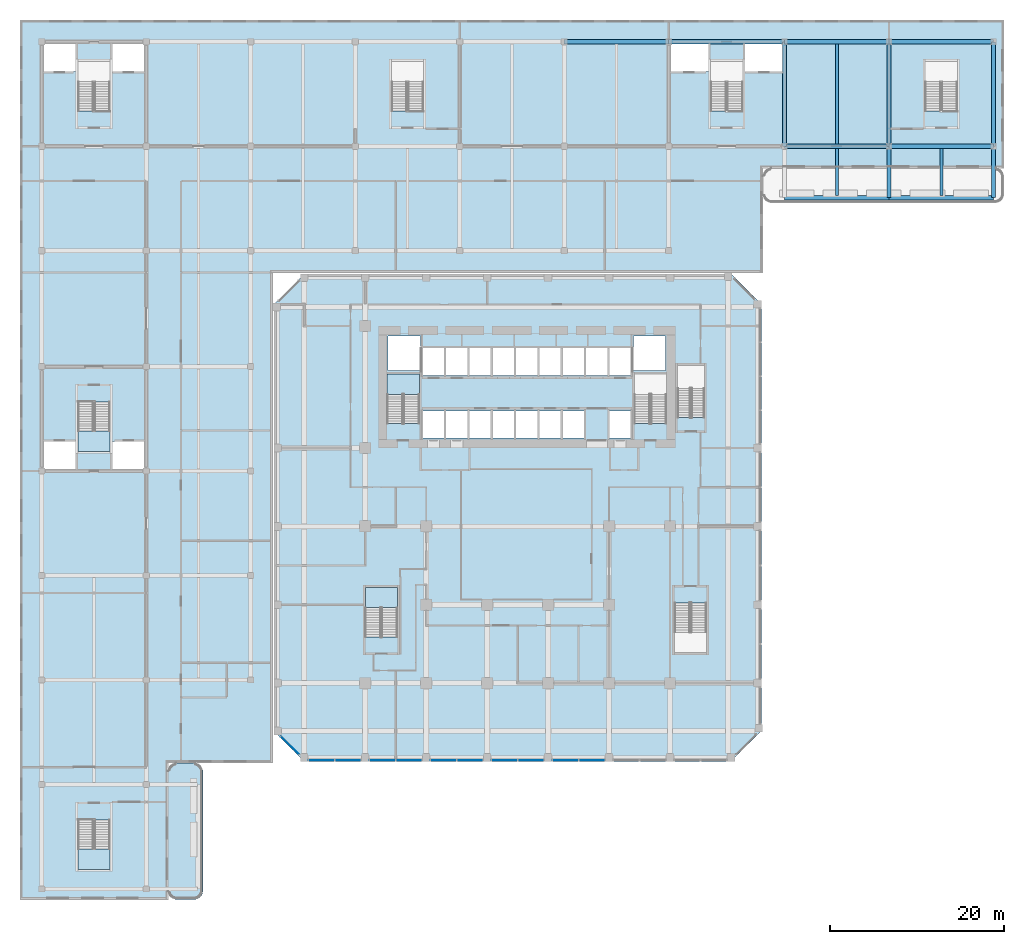
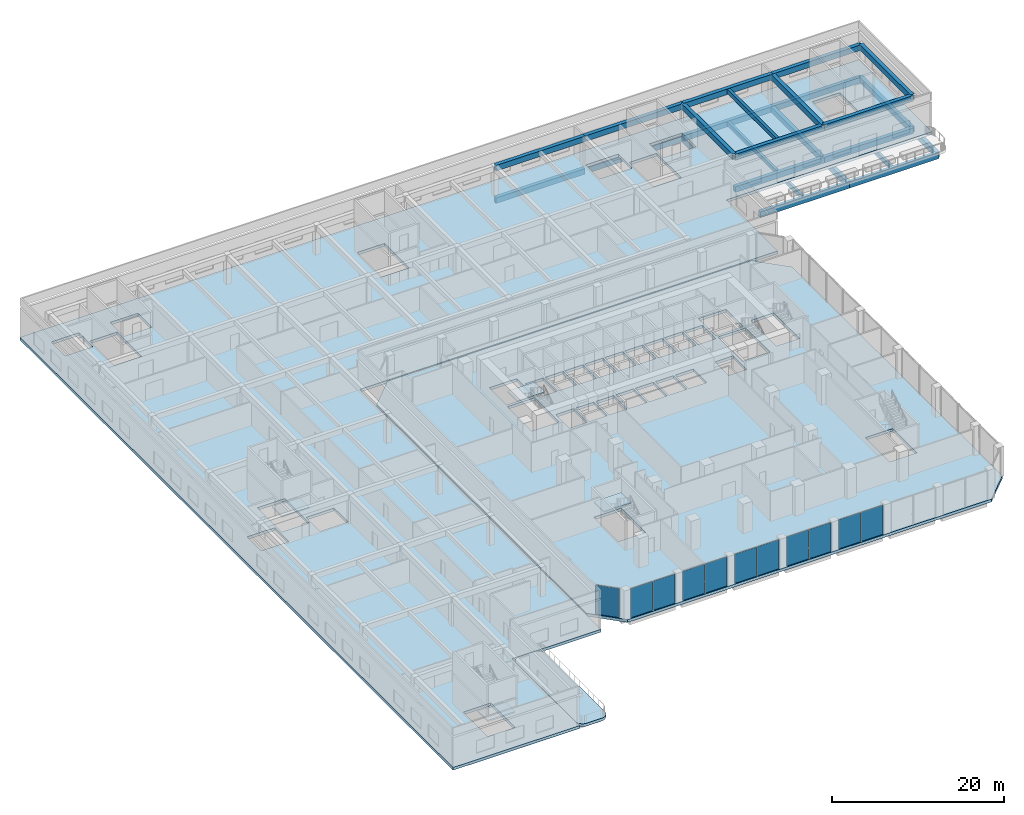
# One storey, part 11 of 35: 26 beams, 11 plates, 7 slabs, 15 elements without a shape of their own.
"""IFC4 building model written with IfcOpenShell, lengths in metres."""

from ifc_helpers import new_model, si_unit, direction, frame, origin, origin_2d, place, context, subcontext, project, spatial, polyline, rectangle, outline, extrude, source, transform, mapped, material, layer, layer_set, material_profile, profile_set, type_object, element, aggregate, save


model = new_model("IFC4")

# Units and contexts
model_context = context("Model", 3, precision=1e-05, world=origin(), true_north=direction((0.0, 1.0)))
body_context = subcontext(model_context, "Body", "Model", "MODEL_VIEW")
ifc_project = project(units=[si_unit("LENGTHUNIT", "METRE"), si_unit("AREAUNIT", "SQUARE_METRE"), si_unit("VOLUMEUNIT", "CUBIC_METRE"), si_unit("PLANEANGLEUNIT", "RADIAN"), si_unit("MASSUNIT", "GRAM", prefix="KILO")], contexts=[model_context])

# Site, building, storey
site_placement = place(None, origin())
site = spatial("IfcSite", under=ifc_project, at=site_placement, CompositionType="ELEMENT")
building_placement = place(site_placement, origin())
building = spatial("IfcBuilding", under=site, at=building_placement, Name="Kilnfold Tower and Market Hall", CompositionType="ELEMENT")
storey_placement = place(building_placement, frame((0.0, 0.0, 22.5)))
storey = spatial("IfcBuildingStorey", under=building, at=storey_placement, Name="L04", CompositionType="ELEMENT", Elevation=22.5)

# Beams
ifc_material_1 = material(Name="Concrete C40/50", Category="concrete")
ifc_material_profile_1 = material_profile(ifc_material_1, rectangle(XDim=0.5, YDim=0.800048828125, at=origin_2d()), Name="RC 500x800")
ifc_profile_set_1 = profile_set([ifc_material_profile_1], Name="Concrete C40/50")
beam_type_1 = type_object("IfcBeamType", Name="HALL GIRDER 500X800", PredefinedType="BEAM", material=ifc_profile_set_1)
beam_1_placement = place(storey_placement, frame((5.35009765625, 54.64990234375, -0.800048828125), z_axis=(1.0, 0.0, 0.0), x_axis=(0.0, 1.0, 0.0)))
element("IfcBeam", 1, at=beam_1_placement, inside=storey, type_object=beam_type_1, Name="Beam MG2.59", PredefinedType="BEAM", context=body_context, shape_type="SweptSolid", body=[
    extrude(rectangle(XDim=0.5, YDim=0.800048828125, at=origin_2d()), origin(), (0.0, 0.0, 1.0), 12.0),
])
beam_2_placement = place(storey_placement, frame((17.35009765625, 54.64990234375, -0.800048828125), z_axis=(1.0, 0.0, 0.0), x_axis=(0.0, 1.0, 0.0)))
element("IfcBeam", 2, at=beam_2_placement, inside=storey, type_object=beam_type_1, Name="Beam MG2.63", PredefinedType="BEAM", context=body_context, shape_type="SweptSolid", body=[
    extrude(rectangle(XDim=0.5, YDim=0.800048828125, at=origin_2d()), origin(), (0.0, 0.0, 1.0), 13.2998046875),
])
for number, where, z_axis, x_axis, name in (
    (3, (30.64990234375, 36.75, -0.800048828125), (1.0, 0.0, 0.0), (0.0, 1.0, 0.0), "Beam MG2.65"),
    (4, (30.64990234375, 42.64990234375, -0.800048828125), (0.0, 1.0, 0.0), (-1.0, 0.0, 0.0), "Beam MG2.66"),
    (5, (30.64990234375, 42.64990234375, -0.800048828125), (1.0, 0.0, 0.0), (0.0, 1.0, 0.0), "Beam MG2.67"),
    (6, (30.64990234375, 54.64990234375, -0.800048828125), (1.0, 0.0, 0.0), (0.0, 1.0, 0.0), "Beam MG2.68"),
):
    element("IfcBeam", number, at=place(storey_placement, frame(where, z_axis=z_axis, x_axis=x_axis)), inside=storey, type_object=beam_type_1, Name=name, PredefinedType="BEAM", context=body_context, shape_type="SweptSolid", body=[
        extrude(rectangle(XDim=0.5, YDim=0.800048828125, at=origin_2d()), origin(), (0.0, 0.0, 1.0), 12.0),
    ])
beam_3_placement = place(storey_placement, frame((42.64990234375, 36.75, -0.800048828125), z_axis=(0.0, 1.0, 0.0), x_axis=(-1.0, 0.0, 0.0)))
element("IfcBeam", 7, at=beam_3_placement, inside=storey, type_object=beam_type_1, Name="Beam MG2.69", PredefinedType="BEAM", context=body_context, shape_type="SweptSolid", body=[
    extrude(rectangle(XDim=0.5, YDim=0.800048828125, at=origin_2d()), origin(), (0.0, 0.0, 1.0), 5.89990234375),
])
for number, where, z_axis, x_axis, name in (
    (8, (42.64990234375, 36.75, -0.800048828125), (1.0, 0.0, 0.0), (0.0, 1.0, 0.0), "Beam MG2.70"),
    (9, (42.64990234375, 42.64990234375, -0.800048828125), (0.0, 1.0, 0.0), (-1.0, 0.0, 0.0), "Beam MG2.71"),
    (10, (42.64990234375, 42.64990234375, -0.800048828125), (1.0, 0.0, 0.0), (0.0, 1.0, 0.0), "Beam MG2.72"),
    (11, (42.64990234375, 54.64990234375, -0.800048828125), (1.0, 0.0, 0.0), (0.0, 1.0, 0.0), "Beam MG2.73"),
):
    element("IfcBeam", number, at=place(storey_placement, frame(where, z_axis=z_axis, x_axis=x_axis)), inside=storey, type_object=beam_type_1, Name=name, PredefinedType="BEAM", context=body_context, shape_type="SweptSolid", body=[
        extrude(rectangle(XDim=0.5, YDim=0.800048828125, at=origin_2d()), origin(), (0.0, 0.0, 1.0), 12.0),
    ])
beam_4_placement = place(storey_placement, frame((54.64990234375, 36.75, -0.800048828125), z_axis=(0.0, 1.0, 0.0), x_axis=(-1.0, 0.0, 0.0)))
element("IfcBeam", 12, at=beam_4_placement, inside=storey, type_object=beam_type_1, Name="Beam MG2.74", PredefinedType="BEAM", context=body_context, shape_type="SweptSolid", body=[
    extrude(rectangle(XDim=0.5, YDim=0.800048828125, at=origin_2d()), origin(), (0.0, 0.0, 1.0), 5.89990234375),
])
for number, where, z_axis, x_axis, name in (
    (13, (54.64990234375, 42.64990234375, -0.800048828125), (0.0, 1.0, 0.0), (-1.0, 0.0, 0.0), "Beam MG2.75"),
    (14, (5.35009765625, 54.64990234375, 3.820068359375), (1.0, 0.0, 0.0), (0.0, 1.0, 0.0), "Roof beam MG2.R56"),
):
    element("IfcBeam", number, at=place(storey_placement, frame(where, z_axis=z_axis, x_axis=x_axis)), inside=storey, type_object=beam_type_1, Name=name, PredefinedType="BEAM", context=body_context, shape_type="SweptSolid", body=[
        extrude(rectangle(XDim=0.5, YDim=0.800048828125, at=origin_2d()), origin(), (0.0, 0.0, 1.0), 12.0),
    ])
beam_5_placement = place(storey_placement, frame((17.35009765625, 54.64990234375, 3.820068359375), z_axis=(1.0, 0.0, 0.0), x_axis=(0.0, 1.0, 0.0)))
element("IfcBeam", 15, at=beam_5_placement, inside=storey, type_object=beam_type_1, Name="Roof beam MG2.R60", PredefinedType="BEAM", context=body_context, shape_type="SweptSolid", body=[
    extrude(rectangle(XDim=0.5, YDim=0.800048828125, at=origin_2d()), origin(), (0.0, 0.0, 1.0), 13.2998046875),
])
for number, where, z_axis, x_axis, name in (
    (16, (30.64990234375, 42.64990234375, 3.820068359375), (0.0, 1.0, 0.0), (-1.0, 0.0, 0.0), "Roof beam MG2.R61"),
    (17, (30.64990234375, 42.64990234375, 3.820068359375), (1.0, 0.0, 0.0), (0.0, 1.0, 0.0), "Roof beam MG2.R62"),
    (18, (30.64990234375, 54.64990234375, 3.820068359375), (1.0, 0.0, 0.0), (0.0, 1.0, 0.0), "Roof beam MG2.R63"),
    (19, (42.64990234375, 42.64990234375, 3.820068359375), (0.0, 1.0, 0.0), (-1.0, 0.0, 0.0), "Roof beam MG2.R64"),
    (20, (42.64990234375, 42.64990234375, 3.820068359375), (1.0, 0.0, 0.0), (0.0, 1.0, 0.0), "Roof beam MG2.R65"),
    (21, (42.64990234375, 54.64990234375, 3.820068359375), (1.0, 0.0, 0.0), (0.0, 1.0, 0.0), "Roof beam MG2.R66"),
    (22, (54.64990234375, 42.64990234375, 3.820068359375), (0.0, 1.0, 0.0), (-1.0, 0.0, 0.0), "Roof beam MG2.R67"),
):
    element("IfcBeam", number, at=place(storey_placement, frame(where, z_axis=z_axis, x_axis=x_axis)), inside=storey, type_object=beam_type_1, Name=name, PredefinedType="BEAM", context=body_context, shape_type="SweptSolid", body=[
        extrude(rectangle(XDim=0.5, YDim=0.800048828125, at=origin_2d()), origin(), (0.0, 0.0, 1.0), 12.0),
    ])
ifc_material_2 = material(Name="Concrete C40/50", Category="concrete")
ifc_material_profile_2 = material_profile(ifc_material_2, rectangle(XDim=0.35009765625, YDim=0.60009765625, at=origin_2d()), Name="RC 350x600")
ifc_profile_set_2 = profile_set([ifc_material_profile_2], Name="Concrete C40/50")
beam_type_2 = type_object("IfcBeamType", Name="HALL JOIST 350X600", PredefinedType="BEAM", material=ifc_profile_set_2)
beam_6_placement = place(storey_placement, frame((36.64990234375, 37.0, -0.699951171875), z_axis=(0.0, 1.0, 0.0), x_axis=(-1.0, 0.0, 0.0)))
element("IfcBeam", 23, at=beam_6_placement, inside=storey, type_object=beam_type_2, Name="Beam MJ1.11", PredefinedType="BEAM", context=body_context, shape_type="SweptSolid", body=[
    extrude(rectangle(XDim=0.35009765625, YDim=0.60009765625, at=origin_2d()), origin(), (0.0, 0.0, 1.0), 5.39990234375),
])
beam_7_placement = place(storey_placement, frame((36.64990234375, 42.89990234375, -0.699951171875), z_axis=(0.0, 1.0, 0.0), x_axis=(-1.0, 0.0, 0.0)))
element("IfcBeam", 24, at=beam_7_placement, inside=storey, type_object=beam_type_2, Name="Beam MJ1.12", PredefinedType="BEAM", context=body_context, shape_type="SweptSolid", body=[
    extrude(rectangle(XDim=0.35009765625, YDim=0.60009765625, at=origin_2d()), origin(), (0.0, 0.0, 1.0), 11.5),
])
beam_8_placement = place(storey_placement, frame((48.64990234375, 37.0, -0.699951171875), z_axis=(0.0, 1.0, 0.0), x_axis=(-1.0, 0.0, 0.0)))
element("IfcBeam", 25, at=beam_8_placement, inside=storey, type_object=beam_type_2, Name="Beam MJ1.13", PredefinedType="BEAM", context=body_context, shape_type="SweptSolid", body=[
    extrude(rectangle(XDim=0.35009765625, YDim=0.60009765625, at=origin_2d()), origin(), (0.0, 0.0, 1.0), 5.39990234375),
])
beam_9_placement = place(storey_placement, frame((36.64990234375, 42.89990234375, 3.919921875), z_axis=(0.0, 1.0, 0.0), x_axis=(-1.0, 0.0, 0.0)))
element("IfcBeam", 26, at=beam_9_placement, inside=storey, type_object=beam_type_2, Name="Roof beam MJ1.R16", PredefinedType="BEAM", context=body_context, shape_type="SweptSolid", body=[
    extrude(rectangle(XDim=0.35009765625, YDim=0.60009765625, at=origin_2d()), origin(), (0.0, 0.0, 1.0), 11.5),
])

# Slabs
ifc_material_3 = material(Name="Concrete C45", Category="concrete")
ifc_layer_1 = layer(ifc_material_3, 0.39990234375)
ifc_layer_set_1 = layer_set([ifc_layer_1], Name="Concrete C45")
slab_type_1 = type_object("IfcSlabType", Name="FLOOR SLAB 400", PredefinedType="FLOOR", material=ifc_layer_set_1)
shared_shape_1 = source(origin(), body_context, "Body", "SweptSolid", [
    extrude(outline(polyline([(-24.5, -28.0), (24.5, -28.0), (28.0, -24.5), (28.0, 24.5), (24.5, 28.0), (-24.5, 28.0), (-28.0, 24.5), (-28.0, -24.5), (-24.5, -28.0)]), holes=[polyline([(-17.49951171875, -13.699462890625), (-17.49951171875, -8.00048828125), (-13.800537109375, -8.00048828125), (-13.800537109375, -13.699462890625), (-17.49951171875, -13.699462890625)]), polyline([(-14.99951171875, 10.800537109375), (-14.99951171875, 16.49951171875), (-11.300537109375, 16.49951171875), (-11.300537109375, 10.800537109375), (-14.99951171875, 10.800537109375)]), polyline([(-14.875, 16.875), (-14.875, 20.875), (-11.175048828125, 20.875), (-11.175048828125, 16.875), (-14.875, 16.875)]), polyline([(-10.885009765625, 9.125), (-10.885009765625, 12.27490234375), (-8.455078125, 12.27490234375), (-8.455078125, 9.125), (-10.885009765625, 9.125)]), polyline([(-10.885009765625, 16.324951171875), (-10.885009765625, 19.47509765625), (-8.455078125, 19.47509765625), (-8.455078125, 16.324951171875), (-10.885009765625, 16.324951171875)]), polyline([(-8.205078125, 9.125), (-8.205078125, 12.27490234375), (-5.77490234375, 12.27490234375), (-5.77490234375, 9.125), (-8.205078125, 9.125)]), polyline([(-8.205078125, 16.324951171875), (-8.205078125, 19.47509765625), (-5.77490234375, 19.47509765625), (-5.77490234375, 16.324951171875), (-8.205078125, 16.324951171875)]), polyline([(-5.52490234375, 9.125), (-5.52490234375, 12.27490234375), (-3.094970703125, 12.27490234375), (-3.094970703125, 9.125), (-5.52490234375, 9.125)]), polyline([(-5.52490234375, 16.324951171875), (-5.52490234375, 19.47509765625), (-3.094970703125, 19.47509765625), (-3.094970703125, 16.324951171875), (-5.52490234375, 16.324951171875)]), polyline([(-2.844970703125, 9.125), (-2.844970703125, 12.27490234375), (-0.4150390625, 12.27490234375), (-0.4150390625, 9.125), (-2.844970703125, 9.125)]), polyline([(-2.844970703125, 16.324951171875), (-2.844970703125, 19.47509765625), (-0.4150390625, 19.47509765625), (-0.4150390625, 16.324951171875), (-2.844970703125, 16.324951171875)]), polyline([(-0.1650390625, 9.125), (-0.1650390625, 12.27490234375), (2.264892578125, 12.27490234375), (2.264892578125, 9.125), (-0.1650390625, 9.125)]), polyline([(-0.1650390625, 16.324951171875), (-0.1650390625, 19.47509765625), (2.264892578125, 19.47509765625), (2.264892578125, 16.324951171875), (-0.1650390625, 16.324951171875)]), polyline([(2.514892578125, 9.125), (2.514892578125, 12.27490234375), (4.945068359375, 12.27490234375), (4.945068359375, 9.125), (2.514892578125, 9.125)]), polyline([(2.514892578125, 16.324951171875), (2.514892578125, 19.47509765625), (4.945068359375, 19.47509765625), (4.945068359375, 16.324951171875), (2.514892578125, 16.324951171875)]), polyline([(5.195068359375, 9.125), (5.195068359375, 12.27490234375), (7.625, 12.27490234375), (7.625, 9.125), (5.195068359375, 9.125)]), polyline([(5.195068359375, 16.324951171875), (5.195068359375, 19.47509765625), (7.625, 19.47509765625), (7.625, 16.324951171875), (5.195068359375, 16.324951171875)]), polyline([(7.875, 16.324951171875), (7.875, 19.47509765625), (10.304931640625, 19.47509765625), (10.304931640625, 16.324951171875), (7.875, 16.324951171875)]), polyline([(10.554931640625, 9.125), (10.554931640625, 12.27490234375), (12.985107421875, 12.27490234375), (12.985107421875, 9.125), (10.554931640625, 9.125)]), polyline([(10.554931640625, 16.324951171875), (10.554931640625, 19.47509765625), (12.985107421875, 19.47509765625), (12.985107421875, 16.324951171875), (10.554931640625, 16.324951171875)]), polyline([(13.27490234375, 16.875), (13.27490234375, 20.875), (16.97509765625, 20.875), (16.97509765625, 16.875), (13.27490234375, 16.875)]), polyline([(13.400390625, 10.800537109375), (13.400390625, 16.49951171875), (17.099609375, 16.49951171875), (17.099609375, 10.800537109375), (13.400390625, 10.800537109375)]), polyline([(18.00048828125, -9.800537109375), (21.699462890625, -9.800537109375), (21.699462890625, -15.49951171875), (18.00048828125, -15.49951171875), (18.00048828125, -9.800537109375)]), polyline([(18.3505859375, 11.50048828125), (18.3505859375, 17.49951171875), (21.449462890625, 17.49951171875), (21.449462890625, 11.50048828125), (18.3505859375, 11.50048828125)])]), origin(), (0.0, 0.0, 1.0), 0.400146484375),
])
slab_1_placement = place(storey_placement, frame((0.0, 0.0, -0.400146484375)))
element("IfcSlab", 27, at=slab_1_placement, inside=storey, type_object=slab_type_1, Name="Floor slab L04", PredefinedType="FLOOR", context=body_context, shape_type="MappedRepresentation", body=[
    mapped(shared_shape_1, transform((0.0, 0.0, 0.0))),
])
ifc_material_4 = material(Name="Concrete C40/50", Category="concrete")
ifc_layer_2 = layer(ifc_material_4, 0.39990234375)
ifc_layer_set_2 = layer_set([ifc_layer_2], Name="Concrete C40/50")
slab_type_2 = type_object("IfcSlabType", Name="HALL SLAB 400", PredefinedType="FLOOR", material=ifc_layer_set_2)
shared_shape_2 = source(origin(), body_context, "Body", "SweptSolid", [
    extrude(outline(polyline([(-57.14990234375, -43.85009765625), (-40.14990234375, -43.85009765625), (-40.14990234375, -28.14990234375), (-28.14990234375, -28.14990234375), (-28.14990234375, -24.56201171875), (-28.14990234375, 24.56201171875), (-28.14990234375, 28.14990234375), (-24.56201171875, 28.14990234375), (24.56201171875, 28.14990234375), (28.14990234375, 28.14990234375), (28.14990234375, 40.14990234375), (55.85009765625, 40.14990234375), (55.85009765625, 57.14990234375), (-28.14990234375, 57.14990234375), (-57.14990234375, 57.14990234375), (-57.14990234375, 28.14990234375), (-57.14990234375, -43.85009765625)]), holes=[polyline([(-50.5, -34.705078125), (-50.5, -40.39990234375), (-46.800048828125, -40.39990234375), (-46.800048828125, -34.705078125), (-50.5, -34.705078125)]), polyline([(-50.5, 13.294921875), (-50.5, 7.60009765625), (-46.800048828125, 7.60009765625), (-46.800048828125, 13.294921875), (-50.5, 13.294921875)]), polyline([(-46.800048828125, 46.705078125), (-46.800048828125, 52.39990234375), (-50.5, 52.39990234375), (-50.5, 46.705078125), (-46.800048828125, 46.705078125)]), polyline([(-10.800048828125, 46.705078125), (-10.800048828125, 52.39990234375), (-14.5, 52.39990234375), (-14.5, 46.705078125), (-10.800048828125, 46.705078125)]), polyline([(25.85009765625, 46.705078125), (25.85009765625, 52.39990234375), (22.14990234375, 52.39990234375), (22.14990234375, 46.705078125), (25.85009765625, 46.705078125)]), polyline([(50.5, 46.705078125), (50.5, 52.39990234375), (46.800048828125, 52.39990234375), (46.800048828125, 46.705078125), (50.5, 46.705078125)]), polyline([(-54.5, 5.5), (-50.75, 5.5), (-50.75, 8.75), (-54.5, 8.75), (-54.5, 5.5)]), polyline([(-46.550048828125, 5.5), (-42.800048828125, 5.5), (-42.800048828125, 8.75), (-46.550048828125, 8.75), (-46.550048828125, 5.5)]), polyline([(-42.800048828125, 54.5), (-46.550048828125, 54.5), (-46.550048828125, 51.25), (-42.800048828125, 51.25), (-42.800048828125, 54.5)]), polyline([(-50.75, 54.5), (-54.5, 54.5), (-54.5, 51.25), (-50.75, 51.25), (-50.75, 54.5)]), polyline([(30.5, 54.5), (26.10009765625, 54.5), (26.10009765625, 51.25), (30.5, 51.25), (30.5, 54.5)]), polyline([(21.89990234375, 54.5), (17.5, 54.5), (17.5, 51.25), (21.89990234375, 51.25), (21.89990234375, 54.5)])]), origin(), (0.0, 0.0, 1.0), 0.39990234375),
])
slab_2_placement = place(storey_placement, frame((0.0, 0.0, -0.39990234375)))
element("IfcSlab", 28, at=slab_2_placement, inside=storey, type_object=slab_type_2, Name="Floor slab L04", PredefinedType="FLOOR", context=body_context, shape_type="MappedRepresentation", body=[
    mapped(shared_shape_2, transform((0.0, 0.0, 0.0))),
])

# Curtain wall, plate
ifc_material_5 = material(Name="Aluminium and double glazing", Category="aluminium")
curtain_wall_type = type_object("IfcCurtainWallType", Name="CW BASE PODIUM GLAZING", PredefinedType="NOTDEFINED", material=ifc_material_5)
curtain_wall_1_placement = place(storey_placement, origin())
curtain_wall_1 = element("IfcCurtainWall", 29, at=curtain_wall_1_placement, inside=storey, type_object=curtain_wall_type, Name="Curtain wall CW4 L04 S", PredefinedType="NOTDEFINED")
ifc_material_6 = material(Name="Double glazed unit")
ifc_layer_3 = layer(ifc_material_6, 0.035888671875)
ifc_layer_set_3 = layer_set([ifc_layer_3], Name="Double glazed unit")
plate_type = type_object("IfcPlateType", Name="GLAZING PANEL 36", PredefinedType="CURTAIN_PANEL", material=ifc_layer_set_3)
shared_shape_3 = source(origin(), body_context, "Body", "SweptSolid", [
    extrude(rectangle(XDim=2.909912109375, YDim=0.035888671875, at=origin_2d()), origin(), (0.0, 0.0, 1.0), 4.14990234375),
])
plate_1_placement = place(storey_placement, frame((-22.52490234375, -27.85009765625, 0.0), z_axis=(0.0, 0.0, 1.0), x_axis=(1.0, 0.0, 0.0)))
plate_1 = element("IfcPlate", 30, at=plate_1_placement, type_object=plate_type, Name="CW4 panel 1.1", PredefinedType="CURTAIN_PANEL", context=body_context, shape_type="MappedRepresentation", body=[
    mapped(shared_shape_3, transform((0.0, 0.0, 0.0))),
])
aggregate(curtain_wall_1, [plate_1])

curtain_wall_2_placement = place(storey_placement, origin())
curtain_wall_2 = element("IfcCurtainWall", 31, at=curtain_wall_2_placement, inside=storey, type_object=curtain_wall_type, Name="Curtain wall CW4 L04 S", PredefinedType="NOTDEFINED")
plate_2_placement = place(storey_placement, frame((-19.47509765625, -27.85009765625, 0.0), z_axis=(0.0, 0.0, 1.0), x_axis=(1.0, 0.0, 0.0)))
plate_2 = element("IfcPlate", 32, at=plate_2_placement, type_object=plate_type, Name="CW4 panel 1.1", PredefinedType="CURTAIN_PANEL", context=body_context, shape_type="MappedRepresentation", body=[
    mapped(shared_shape_3, transform((0.0, 0.0, 0.0))),
])
aggregate(curtain_wall_2, [plate_2])

curtain_wall_3_placement = place(storey_placement, origin())
curtain_wall_3 = element("IfcCurtainWall", 33, at=curtain_wall_3_placement, inside=storey, type_object=curtain_wall_type, Name="Curtain wall CW4 L04 S", PredefinedType="NOTDEFINED")
plate_3_placement = place(storey_placement, frame((-15.52490234375, -27.85009765625, 0.0), z_axis=(0.0, 0.0, 1.0), x_axis=(1.0, 0.0, 0.0)))
plate_3 = element("IfcPlate", 34, at=plate_3_placement, type_object=plate_type, Name="CW4 panel 1.1", PredefinedType="CURTAIN_PANEL", context=body_context, shape_type="MappedRepresentation", body=[
    mapped(shared_shape_3, transform((0.0, 0.0, 0.0))),
])
aggregate(curtain_wall_3, [plate_3])

curtain_wall_4_placement = place(storey_placement, origin())
curtain_wall_4 = element("IfcCurtainWall", 35, at=curtain_wall_4_placement, inside=storey, type_object=curtain_wall_type, Name="Curtain wall CW4 L04 S", PredefinedType="NOTDEFINED")
plate_4_placement = place(storey_placement, frame((-12.47509765625, -27.85009765625, 0.0), z_axis=(0.0, 0.0, 1.0), x_axis=(1.0, 0.0, 0.0)))
plate_4 = element("IfcPlate", 36, at=plate_4_placement, type_object=plate_type, Name="CW4 panel 1.1", PredefinedType="CURTAIN_PANEL", context=body_context, shape_type="MappedRepresentation", body=[
    mapped(shared_shape_3, transform((0.0, 0.0, 0.0))),
])
aggregate(curtain_wall_4, [plate_4])

curtain_wall_5_placement = place(storey_placement, origin())
curtain_wall_5 = element("IfcCurtainWall", 37, at=curtain_wall_5_placement, inside=storey, type_object=curtain_wall_type, Name="Curtain wall CW4 L04 S", PredefinedType="NOTDEFINED")
plate_5_placement = place(storey_placement, frame((-8.52490234375, -27.85009765625, 0.0), z_axis=(0.0, 0.0, 1.0), x_axis=(1.0, 0.0, 0.0)))
plate_5 = element("IfcPlate", 38, at=plate_5_placement, type_object=plate_type, Name="CW4 panel 1.1", PredefinedType="CURTAIN_PANEL", context=body_context, shape_type="MappedRepresentation", body=[
    mapped(shared_shape_3, transform((0.0, 0.0, 0.0))),
])
aggregate(curtain_wall_5, [plate_5])

curtain_wall_6_placement = place(storey_placement, origin())
curtain_wall_6 = element("IfcCurtainWall", 39, at=curtain_wall_6_placement, inside=storey, type_object=curtain_wall_type, Name="Curtain wall CW4 L04 S", PredefinedType="NOTDEFINED")
plate_6_placement = place(storey_placement, frame((-5.47509765625, -27.85009765625, 0.0), z_axis=(0.0, 0.0, 1.0), x_axis=(1.0, 0.0, 0.0)))
plate_6 = element("IfcPlate", 40, at=plate_6_placement, type_object=plate_type, Name="CW4 panel 1.1", PredefinedType="CURTAIN_PANEL", context=body_context, shape_type="MappedRepresentation", body=[
    mapped(shared_shape_3, transform((0.0, 0.0, 0.0))),
])
aggregate(curtain_wall_6, [plate_6])

curtain_wall_7_placement = place(storey_placement, origin())
curtain_wall_7 = element("IfcCurtainWall", 41, at=curtain_wall_7_placement, inside=storey, type_object=curtain_wall_type, Name="Curtain wall CW4 L04 S", PredefinedType="NOTDEFINED")
plate_7_placement = place(storey_placement, frame((-1.52490234375, -27.85009765625, 0.0), z_axis=(0.0, 0.0, 1.0), x_axis=(1.0, 0.0, 0.0)))
plate_7 = element("IfcPlate", 42, at=plate_7_placement, type_object=plate_type, Name="CW4 panel 1.1", PredefinedType="CURTAIN_PANEL", context=body_context, shape_type="MappedRepresentation", body=[
    mapped(shared_shape_3, transform((0.0, 0.0, 0.0))),
])
aggregate(curtain_wall_7, [plate_7])

curtain_wall_8_placement = place(storey_placement, origin())
curtain_wall_8 = element("IfcCurtainWall", 43, at=curtain_wall_8_placement, inside=storey, type_object=curtain_wall_type, Name="Curtain wall CW4 L04 S", PredefinedType="NOTDEFINED")
plate_8_placement = place(storey_placement, frame((1.52490234375, -27.85009765625, 0.0), z_axis=(0.0, 0.0, 1.0), x_axis=(1.0, 0.0, 0.0)))
plate_8 = element("IfcPlate", 44, at=plate_8_placement, type_object=plate_type, Name="CW4 panel 1.1", PredefinedType="CURTAIN_PANEL", context=body_context, shape_type="MappedRepresentation", body=[
    mapped(shared_shape_3, transform((0.0, 0.0, 0.0))),
])
aggregate(curtain_wall_8, [plate_8])

curtain_wall_9_placement = place(storey_placement, origin())
curtain_wall_9 = element("IfcCurtainWall", 45, at=curtain_wall_9_placement, inside=storey, type_object=curtain_wall_type, Name="Curtain wall CW4 L04 S", PredefinedType="NOTDEFINED")
plate_9_placement = place(storey_placement, frame((5.47509765625, -27.85009765625, 0.0), z_axis=(0.0, 0.0, 1.0), x_axis=(1.0, 0.0, 0.0)))
plate_9 = element("IfcPlate", 46, at=plate_9_placement, type_object=plate_type, Name="CW4 panel 1.1", PredefinedType="CURTAIN_PANEL", context=body_context, shape_type="MappedRepresentation", body=[
    mapped(shared_shape_3, transform((0.0, 0.0, 0.0))),
])
aggregate(curtain_wall_9, [plate_9])

curtain_wall_10_placement = place(storey_placement, origin())
curtain_wall_10 = element("IfcCurtainWall", 47, at=curtain_wall_10_placement, inside=storey, type_object=curtain_wall_type, Name="Curtain wall CW4 L04 S", PredefinedType="NOTDEFINED")
plate_10_placement = place(storey_placement, frame((8.52490234375, -27.85009765625, 0.0), z_axis=(0.0, 0.0, 1.0), x_axis=(1.0, 0.0, 0.0)))
plate_10 = element("IfcPlate", 48, at=plate_10_placement, type_object=plate_type, Name="CW4 panel 1.1", PredefinedType="CURTAIN_PANEL", context=body_context, shape_type="MappedRepresentation", body=[
    mapped(shared_shape_3, transform((0.0, 0.0, 0.0))),
])
aggregate(curtain_wall_10, [plate_10])

curtain_wall_11_placement = place(storey_placement, origin())
curtain_wall_11 = element("IfcCurtainWall", 49, at=curtain_wall_11_placement, inside=storey, type_object=curtain_wall_type, Name="Curtain wall CW4 L04 SW", PredefinedType="NOTDEFINED")
shared_shape_4 = source(origin(), body_context, "Body", "SweptSolid", [
    extrude(rectangle(XDim=2.900634765625, YDim=0.035888671875, at=origin_2d()), origin(), (0.0, 0.0, 1.0), 4.14990234375),
])
plate_11_placement = place(storey_placement, frame((-26.143798828125, -26.14404296875, 0.0), z_axis=(0.0, 0.0, 1.0), x_axis=(0.707090337034, -0.707123224957, 0.0)))
plate_11 = element("IfcPlate", 50, at=plate_11_placement, type_object=plate_type, Name="CW4 panel 1.1", PredefinedType="CURTAIN_PANEL", context=body_context, shape_type="MappedRepresentation", body=[
    mapped(shared_shape_4, transform((0.0, 0.0, 0.0))),
])
aggregate(curtain_wall_11, [plate_11])

# Slab
ifc_material_7 = material(Name="Concrete C40/50", Category="concrete")
ifc_layer_4 = layer(ifc_material_7, 0.39990234375)
ifc_layer_set_4 = layer_set([ifc_layer_4], Name="Concrete C40/50")
slab_type_3 = type_object("IfcSlabType", Name="TERRACE SLAB 400", PredefinedType="ROOF", material=ifc_layer_set_4)
shared_shape_5 = source(origin(), body_context, "Body", "SweptSolid", [
    extrude(outline(polyline([(-36.14990234375, -42.85009765625), (-36.15478515625, -42.947998046875), (-36.169189453125, -43.045166015625), (-36.193115234375, -43.140380859375), (-36.22607421875, -43.232666015625), (-36.26806640625, -43.3212890625), (-36.318603515625, -43.405517578125), (-36.376953125, -43.484375), (-36.44287109375, -43.55712890625), (-36.515625, -43.623046875), (-36.594482421875, -43.681396484375), (-36.6787109375, -43.73193359375), (-36.767333984375, -43.77392578125), (-36.859619140625, -43.806884765625), (-36.954833984375, -43.830810546875), (-37.052001953125, -43.84521484375), (-37.14990234375, -43.85009765625), (-39.139892578125, -43.85009765625), (-39.238037109375, -43.84521484375), (-39.335205078125, -43.830810546875), (-39.430419921875, -43.806884765625), (-39.522705078125, -43.77392578125), (-39.611328125, -43.73193359375), (-39.695556640625, -43.681396484375), (-39.7744140625, -43.623046875), (-39.84716796875, -43.55712890625), (-39.9130859375, -43.484375), (-39.971435546875, -43.405517578125), (-40.02197265625, -43.3212890625), (-40.06396484375, -43.232666015625), (-40.096923828125, -43.140380859375), (-40.120849609375, -43.045166015625), (-40.13525390625, -42.947998046875), (-40.139892578125, -42.85009765625), (-40.139892578125, -29.159912109375), (-40.13525390625, -29.06201171875), (-40.120849609375, -28.96484375), (-40.096923828125, -28.86962890625), (-40.06396484375, -28.77734375), (-40.02197265625, -28.688720703125), (-39.971435546875, -28.6044921875), (-39.9130859375, -28.525634765625), (-39.84716796875, -28.452880859375), (-39.7744140625, -28.386962890625), (-39.695556640625, -28.32861328125), (-39.611328125, -28.278076171875), (-39.522705078125, -28.236083984375), (-39.430419921875, -28.203125), (-39.335205078125, -28.17919921875), (-39.238037109375, -28.164794921875), (-39.139892578125, -28.159912109375), (-37.14990234375, -28.159912109375), (-37.052001953125, -28.164794921875), (-36.954833984375, -28.17919921875), (-36.859619140625, -28.203125), (-36.767333984375, -28.236083984375), (-36.6787109375, -28.278076171875), (-36.594482421875, -28.32861328125), (-36.515625, -28.386962890625), (-36.44287109375, -28.452880859375), (-36.376953125, -28.525634765625), (-36.318603515625, -28.6044921875), (-36.26806640625, -28.688720703125), (-36.22607421875, -28.77734375), (-36.193115234375, -28.86962890625), (-36.169189453125, -28.96484375), (-36.15478515625, -29.06201171875), (-36.14990234375, -29.159912109375), (-36.14990234375, -42.85009765625)])), origin(), (0.0, 0.0, 1.0), 0.39990234375),
])
slab_3_placement = place(storey_placement, frame((0.0, 0.0, -0.39990234375)))
element("IfcSlab", 51, at=slab_3_placement, inside=storey, type_object=slab_type_3, Name="Terrace slab L04", PredefinedType="ROOF", context=body_context, shape_type="MappedRepresentation", body=[
    mapped(shared_shape_5, transform((0.0, 0.0, 0.0))),
])

# Stair, slab
ifc_material_8 = material(Name="Concrete C40/50", Category="concrete")
stair_type_1 = type_object("IfcStairType", Name="CORE STAIR 1800", PredefinedType="HALF_TURN_STAIR", material=ifc_material_8)
stair_1_placement = place(storey_placement, origin())
stair_1 = element("IfcStair", 52, at=stair_1_placement, inside=storey, type_object=stair_type_1, Name="L04 ST1", PredefinedType="HALF_TURN_STAIR")
ifc_material_9 = material(Name="Concrete C40/50", Category="concrete")
ifc_layer_5 = layer(ifc_material_9, 0.199951171875)
ifc_layer_set_5 = layer_set([ifc_layer_5], Name="Concrete C40/50")
slab_type_4 = type_object("IfcSlabType", Name="CORE STAIR LANDING 200", PredefinedType="LANDING", material=ifc_layer_set_5)
shared_shape_6 = source(origin(), body_context, "Body", "SweptSolid", [
    extrude(outline(polyline([(-11.300048828125, 14.159912109375), (-11.300048828125, 16.5), (-15.0, 16.5), (-15.0, 14.159912109375), (-11.300048828125, 14.159912109375)])), origin(), (0.0, 0.0, 1.0), 0.199951171875),
])
slab_4_placement = place(storey_placement, frame((0.0, 0.0, 2.050048828125)))
slab_4 = element("IfcSlab", 53, at=slab_4_placement, type_object=slab_type_4, Name="ST1 landing 1", PredefinedType="LANDING", context=body_context, shape_type="MappedRepresentation", body=[
    mapped(shared_shape_6, transform((0.0, 0.0, 0.0))),
])
aggregate(stair_1, [slab_4])

stair_2_placement = place(storey_placement, origin())
stair_2 = element("IfcStair", 54, at=stair_2_placement, inside=storey, type_object=stair_type_1, Name="L04 ST3", PredefinedType="HALF_TURN_STAIR")
shared_shape_7 = source(origin(), body_context, "Body", "SweptSolid", [
    extrude(outline(polyline([(-13.800048828125, -10.340087890625), (-13.800048828125, -8.0), (-17.5, -8.0), (-17.5, -10.340087890625), (-13.800048828125, -10.340087890625)])), origin(), (0.0, 0.0, 1.0), 0.199951171875),
])
slab_5_placement = place(storey_placement, frame((0.0, 0.0, 2.050048828125)))
slab_5 = element("IfcSlab", 55, at=slab_5_placement, type_object=slab_type_4, Name="ST3 landing 1", PredefinedType="LANDING", context=body_context, shape_type="MappedRepresentation", body=[
    mapped(shared_shape_7, transform((0.0, 0.0, 0.0))),
])
aggregate(stair_2, [slab_5])

ifc_material_10 = material(Name="Concrete C40/50", Category="concrete")
stair_type_2 = type_object("IfcStairType", Name="HALL STAIR", PredefinedType="HALF_TURN_STAIR", material=ifc_material_10)
stair_3_placement = place(storey_placement, origin())
stair_3 = element("IfcStair", 56, at=stair_3_placement, inside=storey, type_object=stair_type_2, Name="L04 MS1", PredefinedType="HALF_TURN_STAIR")
ifc_material_11 = material(Name="Concrete C40/50", Category="concrete")
ifc_layer_6 = layer(ifc_material_11, 0.199951171875)
ifc_layer_set_6 = layer_set([ifc_layer_6], Name="Concrete C40/50")
slab_type_5 = type_object("IfcSlabType", Name="HALL STAIR LANDING", PredefinedType="LANDING", material=ifc_layer_set_6)
shared_shape_8 = source(origin(), body_context, "Body", "SweptSolid", [
    extrude(outline(polyline([(-50.5, -38.06005859375), (-50.5, -40.39990234375), (-46.800048828125, -40.39990234375), (-46.800048828125, -38.06005859375), (-50.5, -38.06005859375)])), origin(), (0.0, 0.0, 1.0), 0.199951171875),
])
slab_6_placement = place(storey_placement, frame((0.0, 0.0, 2.050048828125)))
slab_6 = element("IfcSlab", 57, at=slab_6_placement, type_object=slab_type_5, Name="MS1 landing 1", PredefinedType="LANDING", context=body_context, shape_type="MappedRepresentation", body=[
    mapped(shared_shape_8, transform((0.0, 0.0, 0.0))),
])
aggregate(stair_3, [slab_6])

stair_4_placement = place(storey_placement, origin())
stair_4 = element("IfcStair", 58, at=stair_4_placement, inside=storey, type_object=stair_type_2, Name="L04 MS2", PredefinedType="HALF_TURN_STAIR")
shared_shape_9 = source(origin(), body_context, "Body", "SweptSolid", [
    extrude(outline(polyline([(-50.5, 9.93994140625), (-50.5, 7.60009765625), (-46.800048828125, 7.60009765625), (-46.800048828125, 9.93994140625), (-50.5, 9.93994140625)])), origin(), (0.0, 0.0, 1.0), 0.199951171875),
])
slab_7_placement = place(storey_placement, frame((0.0, 0.0, 2.050048828125)))
slab_7 = element("IfcSlab", 59, at=slab_7_placement, type_object=slab_type_5, Name="MS2 landing 1", PredefinedType="LANDING", context=body_context, shape_type="MappedRepresentation", body=[
    mapped(shared_shape_9, transform((0.0, 0.0, 0.0))),
])
aggregate(stair_4, [slab_7])

save(model, "model.ifc")
